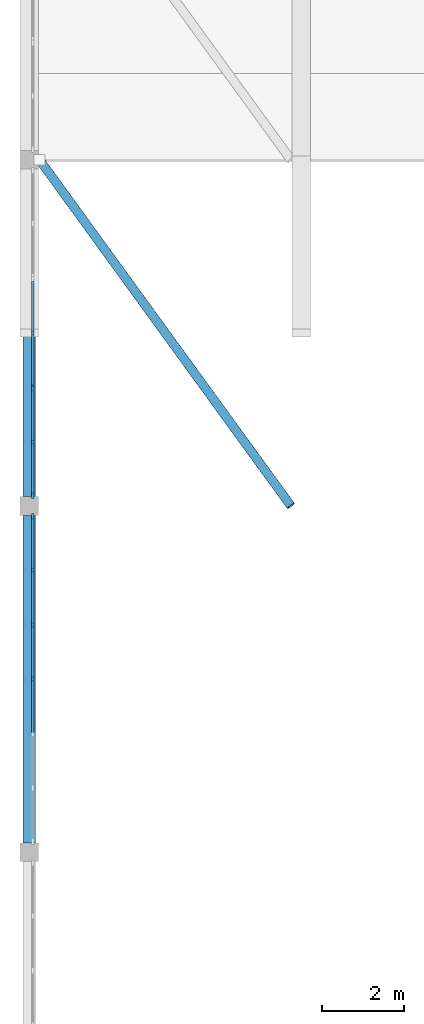
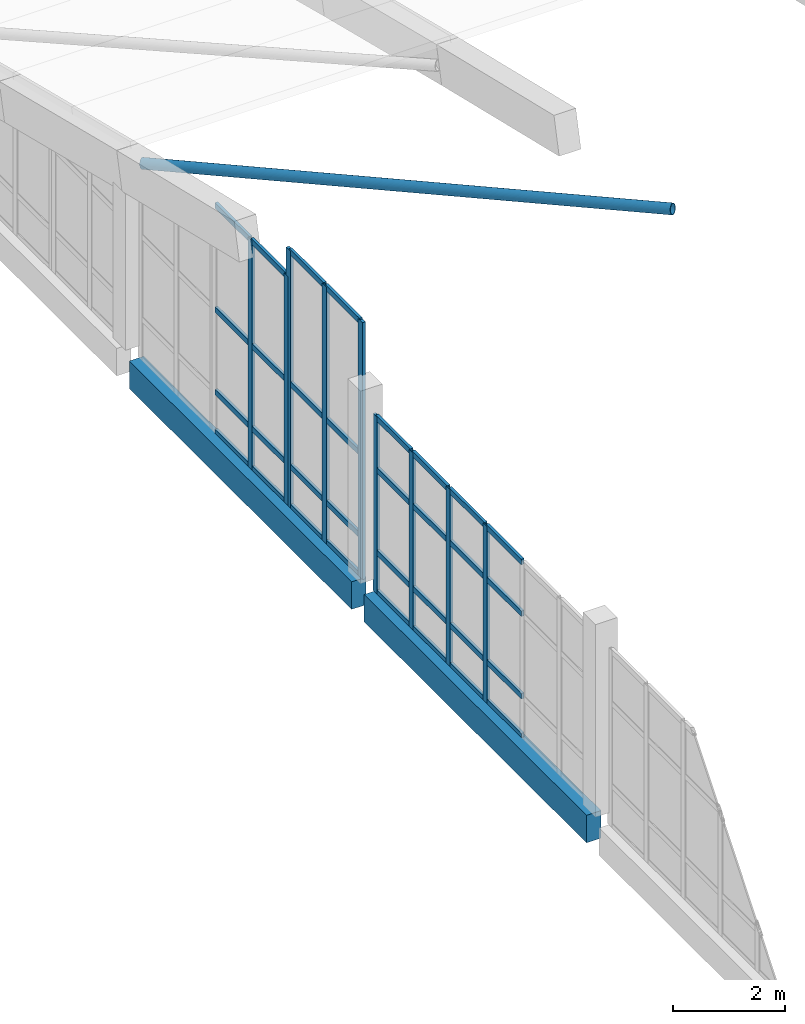
# One storey, part 8 of 78: 42 members, 2 beams, 3 elements without a shape of their own.
"""IFC4 building model written with IfcOpenShell, lengths in metres."""

import ifcopenshell
import ifcopenshell.guid

model = None  # the IFC model being written
_history = None  # IfcOwnerHistory: only IFC2X3 demands one
_inside = {}  # id of a spatial element -> (the spatial element, [elements in it])
_under = {}  # id of a project, library or spatial element -> (it, [spatial elements below it])
_declared = {}  # id of a project -> (the project, [libraries it declares])
_typed = {}  # id of a type object -> (the type object, [elements of that type])
_made_of = {}  # id of a material, layer set ... -> (it, [elements and type objects made of it])


def new_model(schema):
    """Start an empty IFC model of exactly this schema.

    Asked for "IFC4X3", IfcOpenShell would pick the latest addendum, in which some entities
    have other attributes; the version numbers below select the first issue.
    IFC2X3 requires an IfcOwnerHistory on every rooted entity: one is made here for all.
    """
    global model, _history
    if schema == "IFC4X3":
        model = ifcopenshell.file(schema_version=(4, 3, 0, 0))
    else:
        model = ifcopenshell.file(schema=schema)
    _inside.clear()
    _under.clear()
    _declared.clear()
    _typed.clear()
    _made_of.clear()
    _history = None
    if model.schema == "IFC2X3":
        org = make("IfcOrganization", Name="unknown")
        user = make(
            "IfcPersonAndOrganization",
            ThePerson=make("IfcPerson", FamilyName="unknown"),
            TheOrganization=org,
        )
        app = make(
            "IfcApplication",
            ApplicationDeveloper=org,
            Version="unknown",
            ApplicationFullName="unknown",
            ApplicationIdentifier="unknown",
        )
        _history = make(
            "IfcOwnerHistory",
            OwningUser=user,
            OwningApplication=app,
            ChangeAction="ADDED",
            CreationDate=0,
        )
    return model


def make(cls, **values):
    """One entity of the class cls with the attributes given. An attribute that is None is left unset."""
    return model.create_entity(
        cls, **{name: value for name, value in values.items() if value is not None}
    )


def rooted(cls, **values):
    """An entity with a GlobalId (a new one), such as an element, a storey or a relation."""
    return make(cls, GlobalId=ifcopenshell.guid.new(), OwnerHistory=_history, **values)


def si_unit(unit_type, name, prefix=None):
    """IfcSIUnit, for example si_unit("LENGTHUNIT", "METRE", prefix="MILLI")."""
    return make("IfcSIUnit", UnitType=unit_type, Prefix=prefix, Name=name)


def assignment(units):
    """IfcUnitAssignment: the units of a project."""
    return None if units is None else make("IfcUnitAssignment", Units=units)


def point(xyz):
    """IfcCartesianPoint."""
    return None if xyz is None else make("IfcCartesianPoint", Coordinates=xyz)


def direction(xyz):
    """IfcDirection."""
    return None if xyz is None else make("IfcDirection", DirectionRatios=xyz)


def frame(location, z_axis=None, x_axis=None):
    """IfcAxis2Placement3D, a coordinate frame: its origin and axes. An axis left out is left unset."""
    return make(
        "IfcAxis2Placement3D",
        Location=point(location),
        Axis=direction(z_axis),
        RefDirection=direction(x_axis),
    )


def frame_2d(location, x_axis=None):
    """IfcAxis2Placement2D, a coordinate frame in the plane: its origin and x axis."""
    return make(
        "IfcAxis2Placement2D", Location=point(location), RefDirection=direction(x_axis)
    )


def origin():
    """The frame at (0, 0, 0) with its axes left unset."""
    return frame((0.0, 0.0, 0.0))


def origin_2d():
    """The frame at (0, 0) in the plane with its x axis left unset."""
    return frame_2d((0.0, 0.0))


def place(relative_to, where):
    """IfcLocalPlacement: puts the frame where relative to a parent placement (None: the world)."""
    return make(
        "IfcLocalPlacement", PlacementRelTo=relative_to, RelativePlacement=where
    )


def context(
    kind, dimensions, precision=None, world=None, true_north=None, identifier=None
):
    """IfcGeometricRepresentationContext, for example the 3D "Model" context."""
    return make(
        "IfcGeometricRepresentationContext",
        ContextIdentifier=identifier,
        ContextType=kind,
        CoordinateSpaceDimension=dimensions,
        Precision=precision,
        WorldCoordinateSystem=world,
        TrueNorth=true_north,
    )


def subcontext(parent, identifier, kind, view, scale=None):
    """IfcGeometricRepresentationSubContext, for example "Body" below "Model"."""
    return make(
        "IfcGeometricRepresentationSubContext",
        ContextIdentifier=identifier,
        ContextType=kind,
        ParentContext=parent,
        TargetScale=scale,
        TargetView=view,
    )


def project(units=None, contexts=None):
    """IfcProject with its units and contexts."""
    return rooted(
        "IfcProject",
        Name="project",
        RepresentationContexts=contexts,
        UnitsInContext=assignment(units),
    )


def spatial(cls, under=None, at=None, **own):
    """A site, building, storey or space (cls), placed at a placement, below another one or the project."""
    s = rooted(cls, ObjectPlacement=at, **own)
    if under is not None:
        _under.setdefault(under.id(), (under, []))[1].append(s)
    return s


def profile(cls, at=None, kind="AREA", **sizes):
    """A parametric profile (cls). Its sizes go by their IFC names, for example OverallWidth=200.0."""
    return make(cls, ProfileType=kind, Position=at, **sizes)


def rectangle(**sizes):
    """IfcRectangleProfileDef."""
    return profile("IfcRectangleProfileDef", **sizes)


def hollow_circle(**sizes):
    """IfcCircleHollowProfileDef."""
    return profile("IfcCircleHollowProfileDef", **sizes)


def extrude(swept, where, along, depth):
    """IfcExtrudedAreaSolid: the profile swept, set in the frame where, extruded along a direction by depth."""
    return make(
        "IfcExtrudedAreaSolid",
        SweptArea=swept,
        Position=where,
        ExtrudedDirection=direction(along),
        Depth=depth,
    )


def shape(context_of_items, identifier, shape_type, items):
    """IfcShapeRepresentation: the items that make up one representation, for example the "Body"."""
    return make(
        "IfcShapeRepresentation",
        ContextOfItems=context_of_items,
        RepresentationIdentifier=identifier,
        RepresentationType=shape_type,
        Items=items,
    )


def material(Name=None, Category=None):
    """IfcMaterial."""
    return make("IfcMaterial", Name=Name, Category=Category)


def material_profile(
    of_material, cross_section, Name=None, Category=None, Priority=None
):
    """IfcMaterialProfile: a cross section and its material."""
    return make(
        "IfcMaterialProfile",
        Name=Name,
        Material=of_material,
        Profile=cross_section,
        Priority=Priority,
        Category=Category,
    )


def profile_set(profiles, Name=None, composite=None):
    """IfcMaterialProfileSet."""
    return make(
        "IfcMaterialProfileSet",
        Name=Name,
        MaterialProfiles=profiles,
        CompositeProfile=composite,
    )


def made_of(thing, what):
    """Note that an element or type object is made of a material, layer set ...; save() writes the relation."""
    if what is not None:
        _made_of.setdefault(what.id(), (what, []))[1].append(thing)
    return thing


def type_object(cls, material=None, **own):
    """A type object (cls), such as IfcWallType, which elements share."""
    return made_of(rooted(cls, **own), material)


def element(
    cls,
    number,
    at=None,
    inside=None,
    cuts=None,
    type_object=None,
    material=None,
    context=None,
    identifier="Body",
    shape_type=None,
    held_by="IfcProductDefinitionShape",
    body=None,
    shapes=None,
    **own,
):
    """One element of the class cls, such as IfcWall. Its Tag is "e" and its number.

    at: its placement. inside: the storey or other place that contains it. cuts: it is an
    opening in that element (IfcRelVoidsElement). A single representation is given by context,
    identifier, shape_type and body (its items); several are given by shapes. held_by: the class
    of the entity that holds the representations. save() writes the other relations.
    """
    e = rooted(cls, Tag="e%d" % number, ObjectPlacement=at, **own)
    if body is not None:
        shapes = [shape(context, identifier, shape_type, body)]
    if shapes is not None:
        e.Representation = make(held_by, Representations=shapes)
    if inside is not None:
        _inside.setdefault(inside.id(), (inside, []))[1].append(e)
    if cuts is not None:
        rooted(
            "IfcRelVoidsElement", RelatingBuildingElement=cuts, RelatedOpeningElement=e
        )
    if type_object is not None:
        _typed.setdefault(type_object.id(), (type_object, []))[1].append(e)
    return made_of(e, material)


def aggregate(whole, parts):
    """IfcRelAggregates: a whole, such as a stair, and the parts it consists of."""
    return rooted("IfcRelAggregates", RelatingObject=whole, RelatedObjects=parts)


def save(model, path):
    """Write the relations noted so far, then the file.

    IfcRelAggregates (storeys below a building ...), IfcRelContainedInSpatialStructure (elements
    in a storey), IfcRelDefinesByType, IfcRelAssociatesMaterial and IfcRelDeclares: one each for
    every whole, place, type object, material and project.
    """
    for whole, parts in _under.values():
        aggregate(whole, parts)
    for where, things in _inside.values():
        rooted(
            "IfcRelContainedInSpatialStructure",
            RelatedElements=things,
            RelatingStructure=where,
        )
    for kind, things in _typed.values():
        rooted("IfcRelDefinesByType", RelatedObjects=things, RelatingType=kind)
    for what, things in _made_of.values():
        rooted("IfcRelAssociatesMaterial", RelatedObjects=things, RelatingMaterial=what)
    for by, libraries in _declared.values():
        rooted("IfcRelDeclares", RelatingContext=by, RelatedDefinitions=libraries)
    model.write(path)


model = new_model("IFC4")

# Units and contexts
model_context = context("Model", 3, precision=1e-05, world=origin(), true_north=direction((0.0, 1.0)))
body_context = subcontext(model_context, "Body", "Model", "MODEL_VIEW")
ifc_project = project(units=[si_unit("LENGTHUNIT", "METRE"), si_unit("AREAUNIT", "SQUARE_METRE"), si_unit("VOLUMEUNIT", "CUBIC_METRE"), si_unit("PLANEANGLEUNIT", "RADIAN"), si_unit("MASSUNIT", "GRAM", prefix="KILO")], contexts=[model_context])

# Site, building, storey
site_placement = place(None, origin())
site = spatial("IfcSite", under=ifc_project, at=site_placement, CompositionType="ELEMENT")
building_placement = place(site_placement, origin())
building = spatial("IfcBuilding", under=site, at=building_placement, Name="Qaldarim Faculty of Natural and Applied Sciences", CompositionType="ELEMENT")
storey_placement = place(building_placement, frame((0.0, 0.0, 18.60009765625)))
storey = spatial("IfcBuildingStorey", under=building, at=storey_placement, Name="L04", CompositionType="ELEMENT", Elevation=18.60009765625)

# Curtain wall, members
ifc_material_1 = material(Name="Anodised aluminium AW-6063", Category="aluminium")
curtain_wall_type = type_object("IfcCurtainWallType", Name="CurtainWallSystem-M1300", PredefinedType="USERDEFINED", material=ifc_material_1)
curtain_wall_1_placement = place(storey_placement, origin())
curtain_wall_1 = element("IfcCurtainWall", 1, at=curtain_wall_1_placement, inside=storey, type_object=curtain_wall_type, Name="Curtain wall CW-GABLE-L04-W-Y07", ObjectType="STICK CURTAIN WALL", PredefinedType="USERDEFINED")
ifc_material_profile_1 = material_profile(ifc_material_1, rectangle(XDim=0.06005859375, YDim=0.14990234375, at=origin_2d()), Name="ALU-M60x150")
ifc_profile_set_1 = profile_set([ifc_material_profile_1], Name="Anodised aluminium AW-6063")
member_type_1 = type_object("IfcMemberType", Name="Mullion-ALU60x150", PredefinedType="MULLION", material=ifc_profile_set_1)
member_1_placement = place(storey_placement, frame((0.080078125, 58.5400390625, -0.260009765625), z_axis=(0.0, 0.0, 1.0), x_axis=(1.0, 0.0, 0.0)))
member_1 = element("IfcMember", 2, at=member_1_placement, type_object=member_type_1, Name="Mullion 1 of CW-GABLE-L04-W-Y07", PredefinedType="MULLION", context=body_context, shape_type="SweptSolid", body=[
    extrude(rectangle(XDim=0.06005859375, YDim=0.14990234375, at=origin_2d()), origin(), (0.0, 0.0, 1.0), 3.85986328125),
])
member_2_placement = place(storey_placement, frame((0.080078125, 57.24658203125, -0.260009765625), z_axis=(0.0, 0.0, 1.0), x_axis=(1.0, 0.0, 0.0)))
member_2 = element("IfcMember", 3, at=member_2_placement, type_object=member_type_1, Name="Mullion 2 of CW-GABLE-L04-W-Y07", PredefinedType="MULLION", context=body_context, shape_type="SweptSolid", body=[
    extrude(rectangle(XDim=0.06005859375, YDim=0.14990234375, at=origin_2d()), origin(), (0.0, 0.0, 1.0), 3.85986328125),
])
member_3_placement = place(storey_placement, frame((0.080078125, 55.92333984375, -0.260009765625), z_axis=(0.0, 0.0, 1.0), x_axis=(1.0, 0.0, 0.0)))
member_3 = element("IfcMember", 4, at=member_3_placement, type_object=member_type_1, Name="Mullion 3 of CW-GABLE-L04-W-Y07", PredefinedType="MULLION", context=body_context, shape_type="SweptSolid", body=[
    extrude(rectangle(XDim=0.06005859375, YDim=0.14990234375, at=origin_2d()), origin(), (0.0, 0.0, 1.0), 3.85986328125),
])
member_4_placement = place(storey_placement, frame((0.080078125, 54.60009765625, -0.260009765625), z_axis=(0.0, 0.0, 1.0), x_axis=(1.0, 0.0, 0.0)))
member_4 = element("IfcMember", 5, at=member_4_placement, type_object=member_type_1, Name="Mullion 4 of CW-GABLE-L04-W-Y07", PredefinedType="MULLION", context=body_context, shape_type="SweptSolid", body=[
    extrude(rectangle(XDim=0.06005859375, YDim=0.14990234375, at=origin_2d()), origin(), (0.0, 0.0, 1.0), 3.85986328125),
])

curtain_wall_2_placement = place(storey_placement, origin())
curtain_wall_2 = element("IfcCurtainWall", 6, at=curtain_wall_2_placement, inside=storey, type_object=curtain_wall_type, Name="Curtain wall CW-GABLE-L04-W-Y08-1", ObjectType="STICK CURTAIN WALL", PredefinedType="USERDEFINED")
member_5_placement = place(storey_placement, frame((0.080078125, 61.635009765625, -0.260009765625), z_axis=(0.0, 0.0, 1.0), x_axis=(1.0, 0.0, 0.0)))
member_5 = element("IfcMember", 7, at=member_5_placement, type_object=member_type_1, Name="Mullion 1 of CW-GABLE-L04-W-Y08-1", PredefinedType="MULLION", context=body_context, shape_type="SweptSolid", body=[
    extrude(rectangle(XDim=0.06005859375, YDim=0.14990234375, at=origin_2d()), origin(), (0.0, 0.0, 1.0), 5.60986328125),
])
member_6_placement = place(storey_placement, frame((0.080078125, 60.347412109375, -0.260009765625), z_axis=(0.0, 0.0, 1.0), x_axis=(1.0, 0.0, 0.0)))
member_6 = element("IfcMember", 8, at=member_6_placement, type_object=member_type_1, Name="Mullion 2 of CW-GABLE-L04-W-Y08-1", PredefinedType="MULLION", context=body_context, shape_type="SweptSolid", body=[
    extrude(rectangle(XDim=0.06005859375, YDim=0.14990234375, at=origin_2d()), origin(), (0.0, 0.0, 1.0), 5.60986328125),
])
member_7_placement = place(storey_placement, frame((0.080078125, 59.06005859375, -0.260009765625), z_axis=(0.0, 0.0, 1.0), x_axis=(1.0, 0.0, 0.0)))
member_7 = element("IfcMember", 9, at=member_7_placement, type_object=member_type_1, Name="Mullion 3 of CW-GABLE-L04-W-Y08-1", PredefinedType="MULLION", context=body_context, shape_type="SweptSolid", body=[
    extrude(rectangle(XDim=0.06005859375, YDim=0.14990234375, at=origin_2d()), origin(), (0.0, 0.0, 1.0), 5.60986328125),
])

curtain_wall_3_placement = place(storey_placement, origin())
curtain_wall_3 = element("IfcCurtainWall", 10, at=curtain_wall_3_placement, inside=storey, type_object=curtain_wall_type, Name="Curtain wall CW-GABLE-L04-W-Y08-2", ObjectType="STICK CURTAIN WALL", PredefinedType="USERDEFINED")
member_8_placement = place(storey_placement, frame((0.080078125, 63.00244140625, -0.260009765625), z_axis=(0.0, 0.0, 1.0), x_axis=(1.0, 0.0, 0.0)))
member_8 = element("IfcMember", 11, at=member_8_placement, type_object=member_type_1, Name="Mullion 2 of CW-GABLE-L04-W-Y08-2", PredefinedType="MULLION", context=body_context, shape_type="SweptSolid", body=[
    extrude(rectangle(XDim=0.06005859375, YDim=0.14990234375, at=origin_2d()), origin(), (0.0, 0.0, 1.0), 5.0048828125),
])
member_9_placement = place(storey_placement, frame((0.080078125, 61.715087890625, -0.260009765625), z_axis=(0.0, 0.0, 1.0), x_axis=(1.0, 0.0, 0.0)))
member_9 = element("IfcMember", 12, at=member_9_placement, type_object=member_type_1, Name="Mullion 3 of CW-GABLE-L04-W-Y08-2", PredefinedType="MULLION", context=body_context, shape_type="SweptSolid", body=[
    extrude(rectangle(XDim=0.06005859375, YDim=0.14990234375, at=origin_2d()), origin(), (0.0, 0.0, 1.0), 5.0048828125),
])

# Member
ifc_material_2 = material(Name="Structural steel S355", Category="steel")
ifc_material_profile_2 = material_profile(ifc_material_2, hollow_circle(Radius=0.109619140625, WallThickness=0.012451171875, at=origin_2d()), Name="CHS 219.1x12.5")
ifc_profile_set_2 = profile_set([ifc_material_profile_2], Name="Structural steel S355")
member_type_2 = type_object("IfcMemberType", Name="ShellStrut-CHS219x12-5", PredefinedType="STRUT", material=ifc_profile_set_2)
member_10_placement = place(storey_placement, frame((0.25, 67.199951171875, 3.77978515625), z_axis=(0.577406183536, -0.795094739084, 0.185543674362), x_axis=(0.809144712888, 0.587609422665, 0.0)))
element("IfcMember", 13, at=member_10_placement, inside=storey, type_object=member_type_2, Name="Shell wind strut bay 1 N3", PredefinedType="STRUT", context=body_context, shape_type="SweptSolid", body=[
    extrude(hollow_circle(Radius=0.109619140625, WallThickness=0.012451171875, at=origin_2d()), origin(), (0.0, 0.0, 1.0), 10.564697265625),
])

# Beams
ifc_material_3 = material(Name="Precast concrete C40/50", Category="concrete")
ifc_material_profile_3 = material_profile(ifc_material_3, rectangle(XDim=0.300048828125, YDim=0.60009765625, at=origin_2d()), Name="RC-SP300x600")
ifc_profile_set_3 = profile_set([ifc_material_profile_3], Name="Precast concrete C40/50")
beam_type = type_object("IfcBeamType", Name="SpandrelBeam-RC300x600", PredefinedType="SPANDREL", material=ifc_profile_set_3)
beam_1_placement = place(storey_placement, frame((0.0, 50.625, -0.56005859375), z_axis=(0.0, 1.0, 0.0), x_axis=(-1.0, 0.0, 0.0)))
element("IfcBeam", 14, at=beam_1_placement, inside=storey, type_object=beam_type, Name="Shell gable tie beam L03 X01/Y07-Y08", PredefinedType="SPANDREL", context=body_context, shape_type="SweptSolid", body=[
    extrude(rectangle(XDim=0.300048828125, YDim=0.60009765625, at=origin_2d()), origin(), (0.0, 0.0, 1.0), 7.949951171875),
])
beam_2_placement = place(storey_placement, frame((0.0, 59.02490234375, -0.56005859375), z_axis=(0.0, 1.0, 0.0), x_axis=(-1.0, 0.0, 0.0)))
element("IfcBeam", 15, at=beam_2_placement, inside=storey, type_object=beam_type, Name="Shell gable tie beam L03 X01/Y08-Y09", PredefinedType="SPANDREL", context=body_context, shape_type="SweptSolid", body=[
    extrude(rectangle(XDim=0.300048828125, YDim=0.60009765625, at=origin_2d()), origin(), (0.0, 0.0, 1.0), 7.9501953125),
])

# Member
ifc_material_profile_4 = material_profile(ifc_material_1, rectangle(XDim=0.06005859375, YDim=0.1201171875, at=origin_2d()), Name="ALU-T60x120")
ifc_profile_set_4 = profile_set([ifc_material_profile_4], Name="Anodised aluminium AW-6063")
member_type_3 = type_object("IfcMemberType", Name="Transom-ALU60x120", PredefinedType="USERDEFINED", material=ifc_profile_set_4)
member_11_placement = place(storey_placement, frame((0.080078125, 58.510009765625, -0.22998046875), z_axis=(0.0, -1.0, 0.0), x_axis=(1.0, 0.0, 0.0)))
member_11 = element("IfcMember", 16, at=member_11_placement, type_object=member_type_3, Name="Transom 1-1 of CW-GABLE-L04-W-Y07", ObjectType="TRANSOM", PredefinedType="USERDEFINED", context=body_context, shape_type="SweptSolid", body=[
    extrude(rectangle(XDim=0.06005859375, YDim=0.1201171875, at=origin_2d()), origin(), (0.0, 0.0, 1.0), 1.2333984375),
])

member_12_placement = place(storey_placement, frame((0.080078125, 58.510009765625, 0.639892578125), z_axis=(0.0, -1.0, 0.0), x_axis=(1.0, 0.0, 0.0)))
member_12 = element("IfcMember", 17, at=member_12_placement, type_object=member_type_3, Name="Transom 1-2 of CW-GABLE-L04-W-Y07", ObjectType="TRANSOM", PredefinedType="USERDEFINED", context=body_context, shape_type="SweptSolid", body=[
    extrude(rectangle(XDim=0.06005859375, YDim=0.1201171875, at=origin_2d()), origin(), (0.0, 0.0, 1.0), 1.2333984375),
])

member_13_placement = place(storey_placement, frame((0.080078125, 58.510009765625, 2.43994140625), z_axis=(0.0, -1.0, 0.0), x_axis=(1.0, 0.0, 0.0)))
member_13 = element("IfcMember", 18, at=member_13_placement, type_object=member_type_3, Name="Transom 1-3 of CW-GABLE-L04-W-Y07", ObjectType="TRANSOM", PredefinedType="USERDEFINED", context=body_context, shape_type="SweptSolid", body=[
    extrude(rectangle(XDim=0.06005859375, YDim=0.1201171875, at=origin_2d()), origin(), (0.0, 0.0, 1.0), 1.2333984375),
])

member_14_placement = place(storey_placement, frame((0.080078125, 58.510009765625, 3.56982421875), z_axis=(0.0, -1.0, 0.0), x_axis=(1.0, 0.0, 0.0)))
member_14 = element("IfcMember", 19, at=member_14_placement, type_object=member_type_3, Name="Transom 1-4 of CW-GABLE-L04-W-Y07", ObjectType="TRANSOM", PredefinedType="USERDEFINED", context=body_context, shape_type="SweptSolid", body=[
    extrude(rectangle(XDim=0.06005859375, YDim=0.1201171875, at=origin_2d()), origin(), (0.0, 0.0, 1.0), 1.2333984375),
])

member_15_placement = place(storey_placement, frame((0.080078125, 57.216796875, -0.22998046875), z_axis=(0.0, -1.0, 0.0), x_axis=(1.0, 0.0, 0.0)))
member_15 = element("IfcMember", 20, at=member_15_placement, type_object=member_type_3, Name="Transom 2-1 of CW-GABLE-L04-W-Y07", ObjectType="TRANSOM", PredefinedType="USERDEFINED", context=body_context, shape_type="SweptSolid", body=[
    extrude(rectangle(XDim=0.06005859375, YDim=0.1201171875, at=origin_2d()), origin(), (0.0, 0.0, 1.0), 1.263427734375),
])

member_16_placement = place(storey_placement, frame((0.080078125, 57.216796875, 0.639892578125), z_axis=(0.0, -1.0, 0.0), x_axis=(1.0, 0.0, 0.0)))
member_16 = element("IfcMember", 21, at=member_16_placement, type_object=member_type_3, Name="Transom 2-2 of CW-GABLE-L04-W-Y07", ObjectType="TRANSOM", PredefinedType="USERDEFINED", context=body_context, shape_type="SweptSolid", body=[
    extrude(rectangle(XDim=0.06005859375, YDim=0.1201171875, at=origin_2d()), origin(), (0.0, 0.0, 1.0), 1.263427734375),
])

member_17_placement = place(storey_placement, frame((0.080078125, 57.216796875, 2.43994140625), z_axis=(0.0, -1.0, 0.0), x_axis=(1.0, 0.0, 0.0)))
member_17 = element("IfcMember", 22, at=member_17_placement, type_object=member_type_3, Name="Transom 2-3 of CW-GABLE-L04-W-Y07", ObjectType="TRANSOM", PredefinedType="USERDEFINED", context=body_context, shape_type="SweptSolid", body=[
    extrude(rectangle(XDim=0.06005859375, YDim=0.1201171875, at=origin_2d()), origin(), (0.0, 0.0, 1.0), 1.263427734375),
])

member_18_placement = place(storey_placement, frame((0.080078125, 57.216796875, 3.56982421875), z_axis=(0.0, -1.0, 0.0), x_axis=(1.0, 0.0, 0.0)))
member_18 = element("IfcMember", 23, at=member_18_placement, type_object=member_type_3, Name="Transom 2-4 of CW-GABLE-L04-W-Y07", ObjectType="TRANSOM", PredefinedType="USERDEFINED", context=body_context, shape_type="SweptSolid", body=[
    extrude(rectangle(XDim=0.06005859375, YDim=0.1201171875, at=origin_2d()), origin(), (0.0, 0.0, 1.0), 1.263427734375),
])

member_19_placement = place(storey_placement, frame((0.080078125, 55.893310546875, -0.22998046875), z_axis=(0.0, -1.0, 0.0), x_axis=(1.0, 0.0, 0.0)))
member_19 = element("IfcMember", 24, at=member_19_placement, type_object=member_type_3, Name="Transom 3-1 of CW-GABLE-L04-W-Y07", ObjectType="TRANSOM", PredefinedType="USERDEFINED", context=body_context, shape_type="SweptSolid", body=[
    extrude(rectangle(XDim=0.06005859375, YDim=0.1201171875, at=origin_2d()), origin(), (0.0, 0.0, 1.0), 1.263427734375),
])

member_20_placement = place(storey_placement, frame((0.080078125, 55.893310546875, 0.639892578125), z_axis=(0.0, -1.0, 0.0), x_axis=(1.0, 0.0, 0.0)))
member_20 = element("IfcMember", 25, at=member_20_placement, type_object=member_type_3, Name="Transom 3-2 of CW-GABLE-L04-W-Y07", ObjectType="TRANSOM", PredefinedType="USERDEFINED", context=body_context, shape_type="SweptSolid", body=[
    extrude(rectangle(XDim=0.06005859375, YDim=0.1201171875, at=origin_2d()), origin(), (0.0, 0.0, 1.0), 1.263427734375),
])

member_21_placement = place(storey_placement, frame((0.080078125, 55.893310546875, 2.43994140625), z_axis=(0.0, -1.0, 0.0), x_axis=(1.0, 0.0, 0.0)))
member_21 = element("IfcMember", 26, at=member_21_placement, type_object=member_type_3, Name="Transom 3-3 of CW-GABLE-L04-W-Y07", ObjectType="TRANSOM", PredefinedType="USERDEFINED", context=body_context, shape_type="SweptSolid", body=[
    extrude(rectangle(XDim=0.06005859375, YDim=0.1201171875, at=origin_2d()), origin(), (0.0, 0.0, 1.0), 1.263427734375),
])

member_22_placement = place(storey_placement, frame((0.080078125, 55.893310546875, 3.56982421875), z_axis=(0.0, -1.0, 0.0), x_axis=(1.0, 0.0, 0.0)))
member_22 = element("IfcMember", 27, at=member_22_placement, type_object=member_type_3, Name="Transom 3-4 of CW-GABLE-L04-W-Y07", ObjectType="TRANSOM", PredefinedType="USERDEFINED", context=body_context, shape_type="SweptSolid", body=[
    extrude(rectangle(XDim=0.06005859375, YDim=0.1201171875, at=origin_2d()), origin(), (0.0, 0.0, 1.0), 1.263427734375),
])

member_23_placement = place(storey_placement, frame((0.080078125, 54.570068359375, -0.22998046875), z_axis=(0.0, -1.0, 0.0), x_axis=(1.0, 0.0, 0.0)))
member_23 = element("IfcMember", 28, at=member_23_placement, type_object=member_type_3, Name="Transom 4-1 of CW-GABLE-L04-W-Y07", ObjectType="TRANSOM", PredefinedType="USERDEFINED", context=body_context, shape_type="SweptSolid", body=[
    extrude(rectangle(XDim=0.06005859375, YDim=0.1201171875, at=origin_2d()), origin(), (0.0, 0.0, 1.0), 1.263427734375),
])

member_24_placement = place(storey_placement, frame((0.080078125, 54.570068359375, 0.639892578125), z_axis=(0.0, -1.0, 0.0), x_axis=(1.0, 0.0, 0.0)))
member_24 = element("IfcMember", 29, at=member_24_placement, type_object=member_type_3, Name="Transom 4-2 of CW-GABLE-L04-W-Y07", ObjectType="TRANSOM", PredefinedType="USERDEFINED", context=body_context, shape_type="SweptSolid", body=[
    extrude(rectangle(XDim=0.06005859375, YDim=0.1201171875, at=origin_2d()), origin(), (0.0, 0.0, 1.0), 1.263427734375),
])

member_25_placement = place(storey_placement, frame((0.080078125, 54.570068359375, 2.43994140625), z_axis=(0.0, -1.0, 0.0), x_axis=(1.0, 0.0, 0.0)))
member_25 = element("IfcMember", 30, at=member_25_placement, type_object=member_type_3, Name="Transom 4-3 of CW-GABLE-L04-W-Y07", ObjectType="TRANSOM", PredefinedType="USERDEFINED", context=body_context, shape_type="SweptSolid", body=[
    extrude(rectangle(XDim=0.06005859375, YDim=0.1201171875, at=origin_2d()), origin(), (0.0, 0.0, 1.0), 1.263427734375),
])

member_26_placement = place(storey_placement, frame((0.080078125, 54.570068359375, 3.56982421875), z_axis=(0.0, -1.0, 0.0), x_axis=(1.0, 0.0, 0.0)))
member_26 = element("IfcMember", 31, at=member_26_placement, type_object=member_type_3, Name="Transom 4-4 of CW-GABLE-L04-W-Y07", ObjectType="TRANSOM", PredefinedType="USERDEFINED", context=body_context, shape_type="SweptSolid", body=[
    extrude(rectangle(XDim=0.06005859375, YDim=0.1201171875, at=origin_2d()), origin(), (0.0, 0.0, 1.0), 1.263427734375),
])

aggregate(curtain_wall_1, [member_1, member_2, member_3, member_4, member_11, member_12, member_13, member_14, member_15, member_16, member_17, member_18, member_19, member_20, member_21, member_22, member_23, member_24, member_25, member_26])

member_27_placement = place(storey_placement, frame((0.080078125, 61.60498046875, -0.22998046875), z_axis=(0.0, -1.0, 0.0), x_axis=(1.0, 0.0, 0.0)))
member_27 = element("IfcMember", 32, at=member_27_placement, type_object=member_type_3, Name="Transom 1-1 of CW-GABLE-L04-W-Y08-1", ObjectType="TRANSOM", PredefinedType="USERDEFINED", context=body_context, shape_type="SweptSolid", body=[
    extrude(rectangle(XDim=0.06005859375, YDim=0.1201171875, at=origin_2d()), origin(), (0.0, 0.0, 1.0), 1.2275390625),
])

member_28_placement = place(storey_placement, frame((0.080078125, 61.60498046875, 0.639892578125), z_axis=(0.0, -1.0, 0.0), x_axis=(1.0, 0.0, 0.0)))
member_28 = element("IfcMember", 33, at=member_28_placement, type_object=member_type_3, Name="Transom 1-2 of CW-GABLE-L04-W-Y08-1", ObjectType="TRANSOM", PredefinedType="USERDEFINED", context=body_context, shape_type="SweptSolid", body=[
    extrude(rectangle(XDim=0.06005859375, YDim=0.1201171875, at=origin_2d()), origin(), (0.0, 0.0, 1.0), 1.2275390625),
])

member_29_placement = place(storey_placement, frame((0.080078125, 61.60498046875, 2.43994140625), z_axis=(0.0, -1.0, 0.0), x_axis=(1.0, 0.0, 0.0)))
member_29 = element("IfcMember", 34, at=member_29_placement, type_object=member_type_3, Name="Transom 1-3 of CW-GABLE-L04-W-Y08-1", ObjectType="TRANSOM", PredefinedType="USERDEFINED", context=body_context, shape_type="SweptSolid", body=[
    extrude(rectangle(XDim=0.06005859375, YDim=0.1201171875, at=origin_2d()), origin(), (0.0, 0.0, 1.0), 1.2275390625),
])

member_30_placement = place(storey_placement, frame((0.080078125, 61.60498046875, 5.31982421875), z_axis=(0.0, -1.0, 0.0), x_axis=(1.0, 0.0, 0.0)))
member_30 = element("IfcMember", 35, at=member_30_placement, type_object=member_type_3, Name="Transom 1-4 of CW-GABLE-L04-W-Y08-1", ObjectType="TRANSOM", PredefinedType="USERDEFINED", context=body_context, shape_type="SweptSolid", body=[
    extrude(rectangle(XDim=0.06005859375, YDim=0.1201171875, at=origin_2d()), origin(), (0.0, 0.0, 1.0), 1.2275390625),
])

member_31_placement = place(storey_placement, frame((0.080078125, 60.3173828125, -0.22998046875), z_axis=(0.0, -1.0, 0.0), x_axis=(1.0, 0.0, 0.0)))
member_31 = element("IfcMember", 36, at=member_31_placement, type_object=member_type_3, Name="Transom 2-1 of CW-GABLE-L04-W-Y08-1", ObjectType="TRANSOM", PredefinedType="USERDEFINED", context=body_context, shape_type="SweptSolid", body=[
    extrude(rectangle(XDim=0.06005859375, YDim=0.1201171875, at=origin_2d()), origin(), (0.0, 0.0, 1.0), 1.227294921875),
])

member_32_placement = place(storey_placement, frame((0.080078125, 60.3173828125, 0.639892578125), z_axis=(0.0, -1.0, 0.0), x_axis=(1.0, 0.0, 0.0)))
member_32 = element("IfcMember", 37, at=member_32_placement, type_object=member_type_3, Name="Transom 2-2 of CW-GABLE-L04-W-Y08-1", ObjectType="TRANSOM", PredefinedType="USERDEFINED", context=body_context, shape_type="SweptSolid", body=[
    extrude(rectangle(XDim=0.06005859375, YDim=0.1201171875, at=origin_2d()), origin(), (0.0, 0.0, 1.0), 1.227294921875),
])

member_33_placement = place(storey_placement, frame((0.080078125, 60.3173828125, 2.43994140625), z_axis=(0.0, -1.0, 0.0), x_axis=(1.0, 0.0, 0.0)))
member_33 = element("IfcMember", 38, at=member_33_placement, type_object=member_type_3, Name="Transom 2-3 of CW-GABLE-L04-W-Y08-1", ObjectType="TRANSOM", PredefinedType="USERDEFINED", context=body_context, shape_type="SweptSolid", body=[
    extrude(rectangle(XDim=0.06005859375, YDim=0.1201171875, at=origin_2d()), origin(), (0.0, 0.0, 1.0), 1.227294921875),
])

member_34_placement = place(storey_placement, frame((0.080078125, 60.3173828125, 5.31982421875), z_axis=(0.0, -1.0, 0.0), x_axis=(1.0, 0.0, 0.0)))
member_34 = element("IfcMember", 39, at=member_34_placement, type_object=member_type_3, Name="Transom 2-4 of CW-GABLE-L04-W-Y08-1", ObjectType="TRANSOM", PredefinedType="USERDEFINED", context=body_context, shape_type="SweptSolid", body=[
    extrude(rectangle(XDim=0.06005859375, YDim=0.1201171875, at=origin_2d()), origin(), (0.0, 0.0, 1.0), 1.227294921875),
])

aggregate(curtain_wall_2, [member_5, member_6, member_7, member_27, member_28, member_29, member_30, member_31, member_32, member_33, member_34])

member_35_placement = place(storey_placement, frame((0.080078125, 64.260009765625, -0.22998046875), z_axis=(0.0, -1.0, 0.0), x_axis=(1.0, 0.0, 0.0)))
member_35 = element("IfcMember", 40, at=member_35_placement, type_object=member_type_3, Name="Transom 1-1 of CW-GABLE-L04-W-Y08-2", ObjectType="TRANSOM", PredefinedType="USERDEFINED", context=body_context, shape_type="SweptSolid", body=[
    extrude(rectangle(XDim=0.06005859375, YDim=0.1201171875, at=origin_2d()), origin(), (0.0, 0.0, 1.0), 1.2275390625),
])

member_36_placement = place(storey_placement, frame((0.080078125, 64.260009765625, 0.639892578125), z_axis=(0.0, -1.0, 0.0), x_axis=(1.0, 0.0, 0.0)))
member_36 = element("IfcMember", 41, at=member_36_placement, type_object=member_type_3, Name="Transom 1-2 of CW-GABLE-L04-W-Y08-2", ObjectType="TRANSOM", PredefinedType="USERDEFINED", context=body_context, shape_type="SweptSolid", body=[
    extrude(rectangle(XDim=0.06005859375, YDim=0.1201171875, at=origin_2d()), origin(), (0.0, 0.0, 1.0), 1.2275390625),
])

member_37_placement = place(storey_placement, frame((0.080078125, 64.260009765625, 2.43994140625), z_axis=(0.0, -1.0, 0.0), x_axis=(1.0, 0.0, 0.0)))
member_37 = element("IfcMember", 42, at=member_37_placement, type_object=member_type_3, Name="Transom 1-3 of CW-GABLE-L04-W-Y08-2", ObjectType="TRANSOM", PredefinedType="USERDEFINED", context=body_context, shape_type="SweptSolid", body=[
    extrude(rectangle(XDim=0.06005859375, YDim=0.1201171875, at=origin_2d()), origin(), (0.0, 0.0, 1.0), 1.2275390625),
])

member_38_placement = place(storey_placement, frame((0.080078125, 64.260009765625, 4.71484375), z_axis=(0.0, -1.0, 0.0), x_axis=(1.0, 0.0, 0.0)))
member_38 = element("IfcMember", 43, at=member_38_placement, type_object=member_type_3, Name="Transom 1-4 of CW-GABLE-L04-W-Y08-2", ObjectType="TRANSOM", PredefinedType="USERDEFINED", context=body_context, shape_type="SweptSolid", body=[
    extrude(rectangle(XDim=0.06005859375, YDim=0.1201171875, at=origin_2d()), origin(), (0.0, 0.0, 1.0), 1.2275390625),
])

member_39_placement = place(storey_placement, frame((0.080078125, 62.972412109375, -0.22998046875), z_axis=(0.0, -1.0, 0.0), x_axis=(1.0, 0.0, 0.0)))
member_39 = element("IfcMember", 44, at=member_39_placement, type_object=member_type_3, Name="Transom 2-1 of CW-GABLE-L04-W-Y08-2", ObjectType="TRANSOM", PredefinedType="USERDEFINED", context=body_context, shape_type="SweptSolid", body=[
    extrude(rectangle(XDim=0.06005859375, YDim=0.1201171875, at=origin_2d()), origin(), (0.0, 0.0, 1.0), 1.227294921875),
])

member_40_placement = place(storey_placement, frame((0.080078125, 62.972412109375, 0.639892578125), z_axis=(0.0, -1.0, 0.0), x_axis=(1.0, 0.0, 0.0)))
member_40 = element("IfcMember", 45, at=member_40_placement, type_object=member_type_3, Name="Transom 2-2 of CW-GABLE-L04-W-Y08-2", ObjectType="TRANSOM", PredefinedType="USERDEFINED", context=body_context, shape_type="SweptSolid", body=[
    extrude(rectangle(XDim=0.06005859375, YDim=0.1201171875, at=origin_2d()), origin(), (0.0, 0.0, 1.0), 1.227294921875),
])

member_41_placement = place(storey_placement, frame((0.080078125, 62.972412109375, 2.43994140625), z_axis=(0.0, -1.0, 0.0), x_axis=(1.0, 0.0, 0.0)))
member_41 = element("IfcMember", 46, at=member_41_placement, type_object=member_type_3, Name="Transom 2-3 of CW-GABLE-L04-W-Y08-2", ObjectType="TRANSOM", PredefinedType="USERDEFINED", context=body_context, shape_type="SweptSolid", body=[
    extrude(rectangle(XDim=0.06005859375, YDim=0.1201171875, at=origin_2d()), origin(), (0.0, 0.0, 1.0), 1.227294921875),
])

member_42_placement = place(storey_placement, frame((0.080078125, 62.972412109375, 4.71484375), z_axis=(0.0, -1.0, 0.0), x_axis=(1.0, 0.0, 0.0)))
member_42 = element("IfcMember", 47, at=member_42_placement, type_object=member_type_3, Name="Transom 2-4 of CW-GABLE-L04-W-Y08-2", ObjectType="TRANSOM", PredefinedType="USERDEFINED", context=body_context, shape_type="SweptSolid", body=[
    extrude(rectangle(XDim=0.06005859375, YDim=0.1201171875, at=origin_2d()), origin(), (0.0, 0.0, 1.0), 1.227294921875),
])

aggregate(curtain_wall_3, [member_8, member_9, member_35, member_36, member_37, member_38, member_39, member_40, member_41, member_42])

save(model, "model.ifc")
